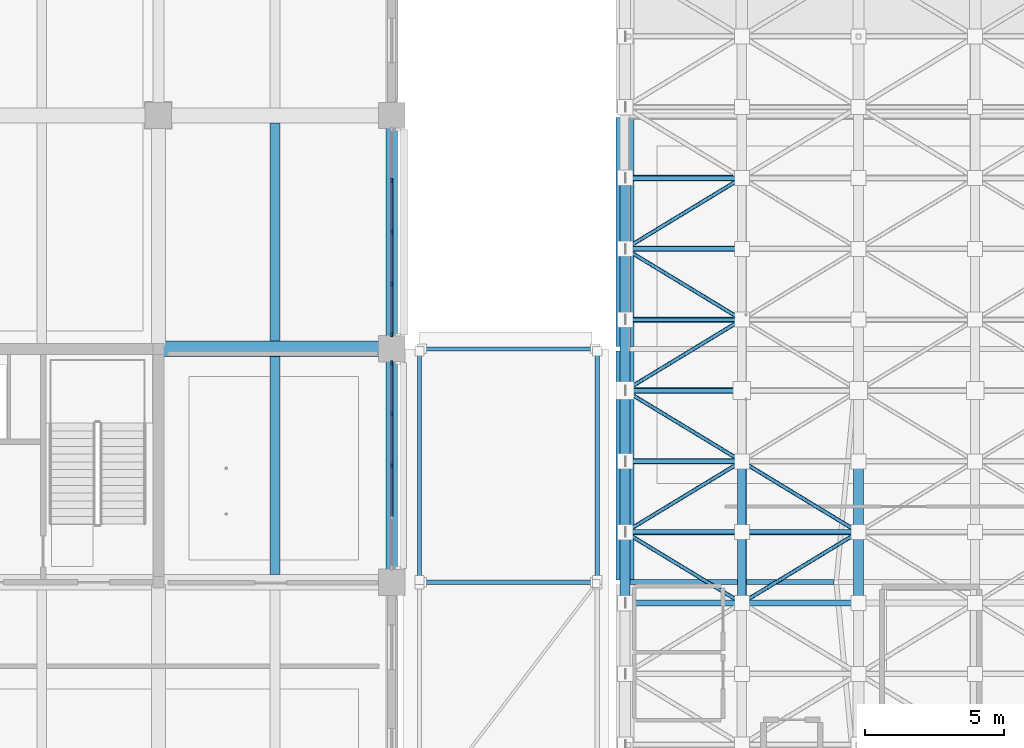
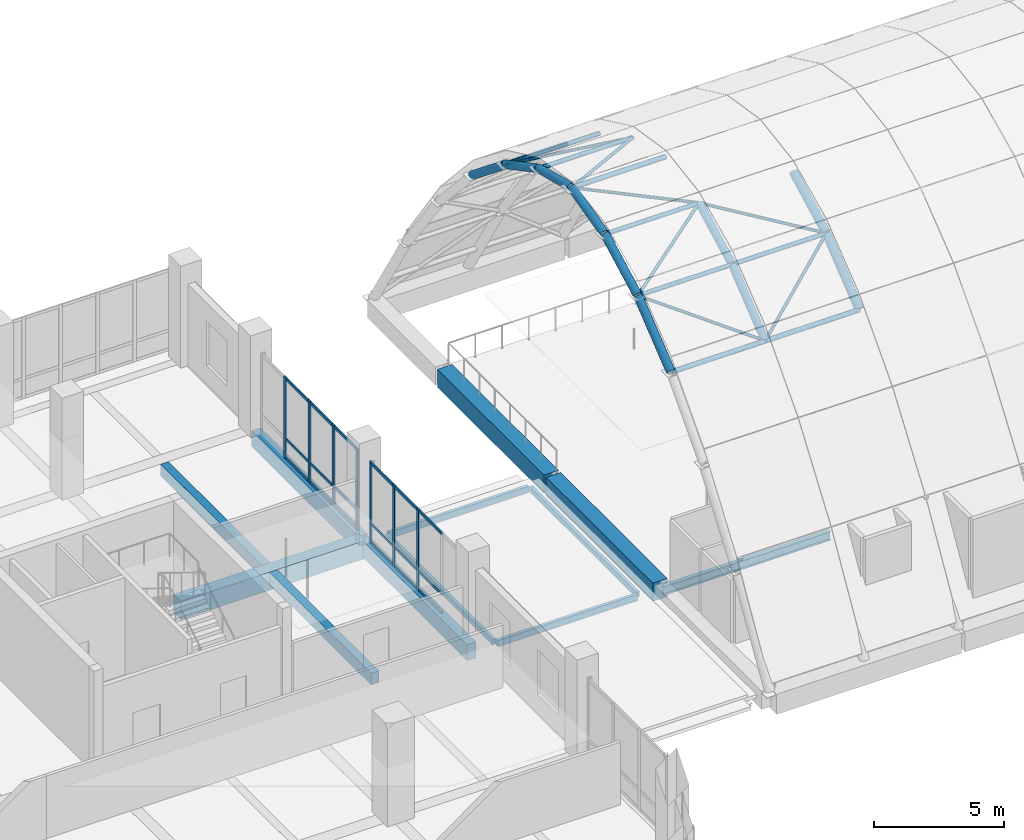
# One storey, part 24 of 128: 44 members, 20 beams, 2 elements without a shape of their own.
"""IFC4 building model written with IfcOpenShell, lengths in metres."""

from ifc_helpers import new_model, si_unit, direction, frame, origin, origin_2d, place, context, subcontext, project, spatial, rectangle, hollow_rectangle, hollow_circle, i_section, extrude, material, layer, layer_set, material_profile, profile_set, type_object, element, aggregate, save


model = new_model("IFC4")

# Units and contexts
model_context = context("Model", 3, precision=1e-05, world=origin(), true_north=direction((0.0, 1.0)))
body_context = subcontext(model_context, "Body", "Model", "MODEL_VIEW")
ifc_project = project(units=[si_unit("LENGTHUNIT", "METRE"), si_unit("AREAUNIT", "SQUARE_METRE"), si_unit("VOLUMEUNIT", "CUBIC_METRE"), si_unit("PLANEANGLEUNIT", "RADIAN"), si_unit("MASSUNIT", "GRAM", prefix="KILO")], contexts=[model_context])

# Site, building, storey
site_placement = place(None, origin())
site = spatial("IfcSite", under=ifc_project, at=site_placement, CompositionType="ELEMENT")
building_placement = place(site_placement, origin())
building = spatial("IfcBuilding", under=site, at=building_placement, Name="Telukmera Botanical Conservatory", CompositionType="ELEMENT")
storey_placement = place(building_placement, frame((0.0, 0.0, 5.39990234375)))
storey = spatial("IfcBuildingStorey", under=building, at=storey_placement, Name="L01", CompositionType="ELEMENT", Elevation=5.39990234375)

# Beams
ifc_material_1 = material(Name="Concrete C40/50", Category="concrete")
ifc_material_profile_1 = material_profile(ifc_material_1, rectangle(XDim=0.35009765625, YDim=0.550048828125, at=origin_2d()), Name="RC 350x550")
ifc_profile_set_1 = profile_set([ifc_material_profile_1], Name="Concrete C40/50")
beam_type_1 = type_object("IfcBeamType", Name="Beam_B21", PredefinedType="JOIST", material=ifc_profile_set_1)
beam_1_placement = place(storey_placement, frame((105.0, 26.27490234375, -0.27490234375), z_axis=(0.0, 1.0, 0.0), x_axis=(-1.0, 0.0, 0.0)))
element("IfcBeam", 1, at=beam_1_placement, inside=storey, type_object=beam_type_1, Name="Tower Secondary Floor Joist L01", PredefinedType="JOIST", context=body_context, shape_type="SweptSolid", body=[
    extrude(rectangle(XDim=0.35009765625, YDim=0.550048828125, at=origin_2d()), origin(), (0.0, 0.0, 1.0), 7.85009765625),
])
beam_2_placement = place(storey_placement, frame((105.0, 34.675048828125, -0.27490234375), z_axis=(0.0, 1.0, 0.0), x_axis=(-1.0, 0.0, 0.0)))
element("IfcBeam", 2, at=beam_2_placement, inside=storey, type_object=beam_type_1, Name="Tower Secondary Floor Joist L01", PredefinedType="JOIST", context=body_context, shape_type="SweptSolid", body=[
    extrude(rectangle(XDim=0.35009765625, YDim=0.550048828125, at=origin_2d()), origin(), (0.0, 0.0, 1.0), 7.849853515625),
])
ifc_material_profile_2 = material_profile(ifc_material_1, rectangle(XDim=0.550048828125, YDim=0.85009765625, at=origin_2d()), Name="RC 550x850")
ifc_profile_set_2 = profile_set([ifc_material_profile_2], Name="Concrete C40/50")
beam_type_2 = type_object("IfcBeamType", Name="Beam_B4", PredefinedType="BEAM", material=ifc_profile_set_2)
beam_3_placement = place(storey_placement, frame((100.8798828125, 34.39990234375, -0.4248046875), z_axis=(1.0, 0.0, 0.0), x_axis=(0.0, 1.0, 0.0)))
element("IfcBeam", 3, at=beam_3_placement, inside=storey, type_object=beam_type_2, Name="Tower Grid Beam L01", PredefinedType="BEAM", context=body_context, shape_type="SweptSolid", body=[
    extrude(rectangle(XDim=0.550048828125, YDim=0.85009765625, at=origin_2d()), origin(), (0.0, 0.0, 1.0), 8.240234375),
])
ifc_material_2 = material(Name="Steel S355", Category="steel")
ifc_material_profile_3 = material_profile(ifc_material_2, hollow_circle(Radius=0.177734375, WallThickness=0.012451171875, at=origin_2d()), Name="CHS 355.6x12.5")
ifc_profile_set_3 = profile_set([ifc_material_profile_3], Name="Steel S355")
beam_type_3 = type_object("IfcBeamType", Name="Beam_GA2", PredefinedType="BEAM", material=ifc_profile_set_3)
beam_4_placement = place(storey_placement, frame((117.60009765625, 25.265625, 10.3583984375), z_axis=(0.0, 0.77797662105, 0.628293225413), x_axis=(-1.0, 0.0, 0.0)))
element("IfcBeam", 4, at=beam_4_placement, inside=storey, type_object=beam_type_3, Name="Conservatory Gridshell Primary Arch Rib A00-03", PredefinedType="BEAM", context=body_context, shape_type="SweptSolid", body=[
    extrude(hollow_circle(Radius=0.177734375, WallThickness=0.012451171875, at=origin_2d()), origin(), (0.0, 0.0, 1.0), 3.237548828125),
])
beam_5_placement = place(storey_placement, frame((117.60009765625, 27.817626953125, 12.41455078125), z_axis=(0.0, 0.883608393745, 0.468226661462), x_axis=(-1.0, 0.0, 0.0)))
element("IfcBeam", 5, at=beam_5_placement, inside=storey, type_object=beam_type_3, Name="Conservatory Gridshell Primary Arch Rib A00-04", PredefinedType="BEAM", context=body_context, shape_type="SweptSolid", body=[
    extrude(hollow_circle(Radius=0.177734375, WallThickness=0.012451171875, at=origin_2d()), origin(), (0.0, 0.0, 1.0), 2.845947265625),
])
for number, where, z_axis, x_axis, name in (
    (6, (117.60009765625, 30.369384765625, 13.761474609375), (0.0, 0.969596662505, 0.244708626858), (-1.0, 0.0, 0.0), "Conservatory Gridshell Primary Arch Rib A00-05"),
    (7, (117.60009765625, 32.91943359375, 14.395263671875), (0.0, 0.969596662505, -0.244708626858), (-1.0, 0.0, 0.0), "Conservatory Gridshell Primary Arch Rib A00-06"),
):
    element("IfcBeam", number, at=place(storey_placement, frame(where, z_axis=z_axis, x_axis=x_axis)), inside=storey, type_object=beam_type_3, Name=name, PredefinedType="BEAM", context=body_context, shape_type="SweptSolid", body=[
        extrude(hollow_circle(Radius=0.177734375, WallThickness=0.012451171875, at=origin_2d()), origin(), (0.0, 0.0, 1.0), 2.590087890625),
    ])
beam_6_placement = place(storey_placement, frame((117.60009765625, 35.4677734375, 13.7470703125), z_axis=(0.0, 0.883608393745, -0.468226661462), x_axis=(-1.0, 0.0, 0.0)))
element("IfcBeam", 8, at=beam_6_placement, inside=storey, type_object=beam_type_3, Name="Conservatory Gridshell Primary Arch Rib A00-07", PredefinedType="BEAM", context=body_context, shape_type="SweptSolid", body=[
    extrude(hollow_circle(Radius=0.177734375, WallThickness=0.012451171875, at=origin_2d()), origin(), (0.0, 0.0, 1.0), 2.845947265625),
])
for number, where, z_axis, x_axis, name in (
    (9, (117.60009765625, 38.015625, 12.392578125), (0.0, 0.77797662105, -0.628293225413), (-1.0, 0.0, 0.0), "Conservatory Gridshell Primary Arch Rib A00-08"),
    (10, (126.0, 25.265625, 10.3583984375), (0.0, 0.77797662105, 0.628293225413), (-1.0, 0.0, 0.0), "Conservatory Gridshell Primary Arch Rib A02-03"),
):
    element("IfcBeam", number, at=place(storey_placement, frame(where, z_axis=z_axis, x_axis=x_axis)), inside=storey, type_object=beam_type_3, Name=name, PredefinedType="BEAM", context=body_context, shape_type="SweptSolid", body=[
        extrude(hollow_circle(Radius=0.177734375, WallThickness=0.012451171875, at=origin_2d()), origin(), (0.0, 0.0, 1.0), 3.237548828125),
    ])
beam_7_placement = place(storey_placement, frame((126.0, 27.817626953125, 12.41455078125), z_axis=(0.0, 0.883608393745, 0.468226661462), x_axis=(-1.0, 0.0, 0.0)))
element("IfcBeam", 11, at=beam_7_placement, inside=storey, type_object=beam_type_3, Name="Conservatory Gridshell Primary Arch Rib A02-04", PredefinedType="BEAM", context=body_context, shape_type="SweptSolid", body=[
    extrude(hollow_circle(Radius=0.177734375, WallThickness=0.012451171875, at=origin_2d()), origin(), (0.0, 0.0, 1.0), 2.845947265625),
])
ifc_material_profile_4 = material_profile(ifc_material_1, rectangle(XDim=0.64990234375, YDim=0.85009765625, at=origin_2d()), Name="RC 650x850")
ifc_profile_set_4 = profile_set([ifc_material_profile_4], Name="Concrete C40/50")
beam_type_4 = type_object("IfcBeamType", Name="Beam_RB2", PredefinedType="BEAM", material=ifc_profile_set_4)
for number, where, z_axis, x_axis, name in (
    (12, (117.60009765625, 26.080078125, -0.4248046875), (0.0, 1.0, 0.0), (-1.0, 0.0, 0.0), "Conservatory Beam beam:V1:L01:rb_y:1176:260"),
    (13, (117.60009765625, 34.47998046875, -0.4248046875), (0.0, 1.0, 0.0), (-1.0, 0.0, 0.0), "Conservatory Beam beam:V1:L01:rb_y:1176:344"),
):
    element("IfcBeam", number, at=place(storey_placement, frame(where, z_axis=z_axis, x_axis=x_axis)), inside=storey, type_object=beam_type_4, Name=name, PredefinedType="BEAM", context=body_context, shape_type="SweptSolid", body=[
        extrude(rectangle(XDim=0.64990234375, YDim=0.85009765625, at=origin_2d()), origin(), (0.0, 0.0, 1.0), 8.239990234375),
    ])
ifc_material_profile_5 = material_profile(ifc_material_2, i_section(OverallWidth=0.1787109375, OverallDepth=0.409423828125, WebThickness=0.0087890625, FlangeThickness=0.014404296875, FilletRadius=0.01025390625, at=origin_2d()), Name="UB 406x178x67")
ifc_profile_set_5 = profile_set([ifc_material_profile_5], Name="Steel S355")
beam_type_5 = type_object("IfcBeamType", Name="Beam_SB4", PredefinedType="BEAM", material=ifc_profile_set_5)
beam_8_placement = place(storey_placement, frame((117.679931640625, 26.0, -0.404541015625), z_axis=(1.0, 0.0, 0.0), x_axis=(0.0, 1.0, 0.0)))
element("IfcBeam", 14, at=beam_8_placement, inside=storey, type_object=beam_type_5, Name="Conservatory Skywalk Steel Girder", PredefinedType="BEAM", context=body_context, shape_type="SweptSolid", body=[
    extrude(i_section(OverallWidth=0.1787109375, OverallDepth=0.409423828125, WebThickness=0.0087890625, FlangeThickness=0.014404296875, FilletRadius=0.01025390625, at=origin_2d()), origin(), (0.0, 0.0, 1.0), 7.440185546875),
])
ifc_material_profile_6 = material_profile(ifc_material_2, hollow_rectangle(XDim=0.14990234375, YDim=0.300048828125, WallThickness=0.010009765625, at=origin_2d()), Name="RHS 300x150x10.0")
ifc_profile_set_6 = profile_set([ifc_material_profile_6], Name="Steel S355")
beam_type_6 = type_object("IfcBeamType", Name="Beam_SB8", PredefinedType="BEAM", material=ifc_profile_set_6)
for number, where, z_axis, x_axis, name in (
    (15, (110.280029296875, 26.0, -0.309814453125), (1.0, 0.0, 0.0), (0.0, 1.0, 0.0), "Canopy Steel Girder east_link"),
    (16, (110.280029296875, 34.39990234375, -0.309814453125), (1.0, 0.0, 0.0), (0.0, 1.0, 0.0), "Canopy Steel Girder east_link"),
):
    element("IfcBeam", number, at=place(storey_placement, frame(where, z_axis=z_axis, x_axis=x_axis)), inside=storey, type_object=beam_type_6, Name=name, PredefinedType="BEAM", context=body_context, shape_type="SweptSolid", body=[
        extrude(hollow_rectangle(XDim=0.14990234375, YDim=0.300048828125, WallThickness=0.010009765625, at=origin_2d()), origin(), (0.0, 0.0, 1.0), 6.239990234375),
    ])
ifc_material_profile_7 = material_profile(ifc_material_2, hollow_rectangle(XDim=0.14990234375, YDim=0.25, WallThickness=0.008056640625, at=origin_2d()), Name="RHS 250x150x8.0")
ifc_profile_set_7 = profile_set([ifc_material_profile_7], Name="Steel S355")
beam_type_7 = type_object("IfcBeamType", Name="Beam_SB9", PredefinedType="JOIST", material=ifc_profile_set_7)
for number, where, z_axis, x_axis, name in (
    (17, (110.199951171875, 26.080078125, -0.284912109375), (0.0, 1.0, 0.0), (-1.0, 0.0, 0.0), "Canopy Steel Purlin east_link"),
    (18, (116.60009765625, 26.080078125, -0.284912109375), (0.0, 1.0, 0.0), (-1.0, 0.0, 0.0), "Canopy Steel Purlin east_link"),
):
    element("IfcBeam", number, at=place(storey_placement, frame(where, z_axis=z_axis, x_axis=x_axis)), inside=storey, type_object=beam_type_7, Name=name, PredefinedType="JOIST", context=body_context, shape_type="SweptSolid", body=[
        extrude(hollow_rectangle(XDim=0.14990234375, YDim=0.25, WallThickness=0.008056640625, at=origin_2d()), origin(), (0.0, 0.0, 1.0), 8.239990234375),
    ])
ifc_material_3 = material(Name="Precast concrete C40/50", Category="concrete")
ifc_material_profile_8 = material_profile(ifc_material_3, rectangle(XDim=0.39990234375, YDim=0.75, at=origin_2d()), Name="PC 400x750")
ifc_profile_set_8 = profile_set([ifc_material_profile_8], Name="Precast concrete C40/50")
beam_type_8 = type_object("IfcBeamType", Name="Beam_SP1", PredefinedType="SPANDREL", material=ifc_profile_set_8)
for number, where, z_axis, x_axis, name in (
    (19, (109.199951171875, 26.080078125, -0.375), (0.0, 1.0, 0.0), (-1.0, 0.0, 0.0), "Tower Transverse Beam L01"),
    (20, (109.199951171875, 34.47998046875, -0.375), (0.0, 1.0, 0.0), (-1.0, 0.0, 0.0), "Tower Transverse Beam L01"),
):
    element("IfcBeam", number, at=place(storey_placement, frame(where, z_axis=z_axis, x_axis=x_axis)), inside=storey, type_object=beam_type_8, Name=name, PredefinedType="SPANDREL", context=body_context, shape_type="SweptSolid", body=[
        extrude(rectangle(XDim=0.39990234375, YDim=0.75, at=origin_2d()), origin(), (0.0, 0.0, 1.0), 8.239990234375),
    ])

# Curtain wall, members
ifc_material_4 = material(Name="Anodised aluminium 6063-T6", Category="aluminium")
ifc_layer = layer(ifc_material_4, 0.179931640625)
ifc_layer_set = layer_set([ifc_layer], Name="Anodised aluminium 6063-T6")
curtain_wall_type = type_object("IfcCurtainWallType", Name="Tower Reference Library Curtain Wall", PredefinedType="USERDEFINED", material=ifc_layer_set)
curtain_wall_1_placement = place(storey_placement, origin())
curtain_wall_1 = element("IfcCurtainWall", 21, at=curtain_wall_1_placement, inside=storey, type_object=curtain_wall_type, Name="Unitised Curtain Wall CW13 V4:L01:E3", ObjectType="UNITISED CURTAIN WALL", PredefinedType="USERDEFINED")
ifc_material_profile_9 = material_profile(ifc_material_4, rectangle(XDim=0.06494140625, YDim=0.159912109375, at=origin_2d()), Name="ALU MULL 65x160")
ifc_profile_set_9 = profile_set([ifc_material_profile_9], Name="Anodised aluminium 6063-T6")
member_type_1 = type_object("IfcMemberType", Name="Curtain Wall Extruded Mullion 65x160", PredefinedType="MULLION", material=ifc_profile_set_9)
member_1_placement = place(storey_placement, frame((109.199951171875, 30.199951171875, 0.0), z_axis=(0.0, 0.0, 1.0), x_axis=(-1.0, 0.0, 0.0)))
member_1 = element("IfcMember", 22, at=member_1_placement, type_object=member_type_1, Name="CW13 mullion 3", PredefinedType="MULLION", context=body_context, shape_type="SweptSolid", body=[
    extrude(rectangle(XDim=0.06494140625, YDim=0.159912109375, at=origin_2d()), origin(), (0.0, 0.0, 1.0), 3.85009765625),
])
member_2_placement = place(storey_placement, frame((109.199951171875, 32.0615234375, 0.0), z_axis=(0.0, 0.0, 1.0), x_axis=(-1.0, 0.0, 0.0)))
member_2 = element("IfcMember", 23, at=member_2_placement, type_object=member_type_1, Name="CW13 mullion 4", PredefinedType="MULLION", context=body_context, shape_type="SweptSolid", body=[
    extrude(rectangle(XDim=0.06494140625, YDim=0.159912109375, at=origin_2d()), origin(), (0.0, 0.0, 1.0), 3.85009765625),
])
member_3_placement = place(storey_placement, frame((109.199951171875, 33.890380859375, 0.0), z_axis=(0.0, 0.0, 1.0), x_axis=(-1.0, 0.0, 0.0)))
member_3 = element("IfcMember", 24, at=member_3_placement, type_object=member_type_1, Name="CW13 mullion 5", PredefinedType="MULLION", context=body_context, shape_type="SweptSolid", body=[
    extrude(rectangle(XDim=0.06494140625, YDim=0.159912109375, at=origin_2d()), origin(), (0.0, 0.0, 1.0), 3.85009765625),
])

curtain_wall_2_placement = place(storey_placement, origin())
curtain_wall_2 = element("IfcCurtainWall", 25, at=curtain_wall_2_placement, inside=storey, type_object=curtain_wall_type, Name="Unitised Curtain Wall CW13 V4:L01:E4", ObjectType="UNITISED CURTAIN WALL", PredefinedType="USERDEFINED")
member_4_placement = place(storey_placement, frame((109.199951171875, 34.909423828125, 0.0), z_axis=(0.0, 0.0, 1.0), x_axis=(-1.0, 0.0, 0.0)))
member_4 = element("IfcMember", 26, at=member_4_placement, type_object=member_type_1, Name="CW13 mullion 1", PredefinedType="MULLION", context=body_context, shape_type="SweptSolid", body=[
    extrude(rectangle(XDim=0.06494140625, YDim=0.159912109375, at=origin_2d()), origin(), (0.0, 0.0, 1.0), 3.85009765625),
])
member_5_placement = place(storey_placement, frame((109.199951171875, 36.738525390625, 0.0), z_axis=(0.0, 0.0, 1.0), x_axis=(-1.0, 0.0, 0.0)))
member_5 = element("IfcMember", 27, at=member_5_placement, type_object=member_type_1, Name="CW13 mullion 2", PredefinedType="MULLION", context=body_context, shape_type="SweptSolid", body=[
    extrude(rectangle(XDim=0.06494140625, YDim=0.159912109375, at=origin_2d()), origin(), (0.0, 0.0, 1.0), 3.85009765625),
])
member_6_placement = place(storey_placement, frame((109.199951171875, 38.60009765625, 0.0), z_axis=(0.0, 0.0, 1.0), x_axis=(-1.0, 0.0, 0.0)))
member_6 = element("IfcMember", 28, at=member_6_placement, type_object=member_type_1, Name="CW13 mullion 3", PredefinedType="MULLION", context=body_context, shape_type="SweptSolid", body=[
    extrude(rectangle(XDim=0.06494140625, YDim=0.159912109375, at=origin_2d()), origin(), (0.0, 0.0, 1.0), 3.85009765625),
])
member_7_placement = place(storey_placement, frame((109.199951171875, 40.46142578125, 0.0), z_axis=(0.0, 0.0, 1.0), x_axis=(-1.0, 0.0, 0.0)))
member_7 = element("IfcMember", 29, at=member_7_placement, type_object=member_type_1, Name="CW13 mullion 4", PredefinedType="MULLION", context=body_context, shape_type="SweptSolid", body=[
    extrude(rectangle(XDim=0.06494140625, YDim=0.159912109375, at=origin_2d()), origin(), (0.0, 0.0, 1.0), 3.85009765625),
])

# Member
ifc_material_profile_10 = material_profile(ifc_material_4, rectangle(XDim=0.06494140625, YDim=0.1298828125, at=origin_2d()), Name="ALU TRAN 65x130")
ifc_profile_set_10 = profile_set([ifc_material_profile_10], Name="Anodised aluminium 6063-T6")
member_type_2 = type_object("IfcMemberType", Name="Curtain Wall Extruded Transom 65x130", PredefinedType="USERDEFINED", material=ifc_profile_set_10)
member_8_placement = place(storey_placement, frame((109.199951171875, 28.37109375, 0.065185546875), z_axis=(0.0, 1.0, 0.0), x_axis=(-1.0, 0.0, 0.0)))
member_8 = element("IfcMember", 30, at=member_8_placement, type_object=member_type_2, Name="CW13 transom 2.1", ObjectType="TRANSOM", PredefinedType="USERDEFINED", context=body_context, shape_type="SweptSolid", body=[
    extrude(rectangle(XDim=0.06494140625, YDim=0.1298828125, at=origin_2d()), origin(), (0.0, 0.0, 1.0), 1.79638671875),
])

member_9_placement = place(storey_placement, frame((109.199951171875, 28.37109375, 0.9501953125), z_axis=(0.0, 1.0, 0.0), x_axis=(-1.0, 0.0, 0.0)))
member_9 = element("IfcMember", 31, at=member_9_placement, type_object=member_type_2, Name="CW13 transom 2.2", ObjectType="TRANSOM", PredefinedType="USERDEFINED", context=body_context, shape_type="SweptSolid", body=[
    extrude(rectangle(XDim=0.06494140625, YDim=0.1298828125, at=origin_2d()), origin(), (0.0, 0.0, 1.0), 1.79638671875),
])

member_10_placement = place(storey_placement, frame((109.199951171875, 28.37109375, 3.78515625), z_axis=(0.0, 1.0, 0.0), x_axis=(-1.0, 0.0, 0.0)))
member_10 = element("IfcMember", 32, at=member_10_placement, type_object=member_type_2, Name="CW13 transom 2.3", ObjectType="TRANSOM", PredefinedType="USERDEFINED", context=body_context, shape_type="SweptSolid", body=[
    extrude(rectangle(XDim=0.06494140625, YDim=0.1298828125, at=origin_2d()), origin(), (0.0, 0.0, 1.0), 1.79638671875),
])

member_11_placement = place(storey_placement, frame((109.199951171875, 30.232421875, 0.065185546875), z_axis=(0.0, 1.0, 0.0), x_axis=(-1.0, 0.0, 0.0)))
member_11 = element("IfcMember", 33, at=member_11_placement, type_object=member_type_2, Name="CW13 transom 3.1", ObjectType="TRANSOM", PredefinedType="USERDEFINED", context=body_context, shape_type="SweptSolid", body=[
    extrude(rectangle(XDim=0.06494140625, YDim=0.1298828125, at=origin_2d()), origin(), (0.0, 0.0, 1.0), 1.796630859375),
])

member_12_placement = place(storey_placement, frame((109.199951171875, 30.232421875, 0.9501953125), z_axis=(0.0, 1.0, 0.0), x_axis=(-1.0, 0.0, 0.0)))
member_12 = element("IfcMember", 34, at=member_12_placement, type_object=member_type_2, Name="CW13 transom 3.2", ObjectType="TRANSOM", PredefinedType="USERDEFINED", context=body_context, shape_type="SweptSolid", body=[
    extrude(rectangle(XDim=0.06494140625, YDim=0.1298828125, at=origin_2d()), origin(), (0.0, 0.0, 1.0), 1.796630859375),
])

member_13_placement = place(storey_placement, frame((109.199951171875, 30.232421875, 3.78515625), z_axis=(0.0, 1.0, 0.0), x_axis=(-1.0, 0.0, 0.0)))
member_13 = element("IfcMember", 35, at=member_13_placement, type_object=member_type_2, Name="CW13 transom 3.3", ObjectType="TRANSOM", PredefinedType="USERDEFINED", context=body_context, shape_type="SweptSolid", body=[
    extrude(rectangle(XDim=0.06494140625, YDim=0.1298828125, at=origin_2d()), origin(), (0.0, 0.0, 1.0), 1.796630859375),
])

member_14_placement = place(storey_placement, frame((109.199951171875, 32.093994140625, 0.065185546875), z_axis=(0.0, 1.0, 0.0), x_axis=(-1.0, 0.0, 0.0)))
member_14 = element("IfcMember", 36, at=member_14_placement, type_object=member_type_2, Name="CW13 transom 4.1", ObjectType="TRANSOM", PredefinedType="USERDEFINED", context=body_context, shape_type="SweptSolid", body=[
    extrude(rectangle(XDim=0.06494140625, YDim=0.1298828125, at=origin_2d()), origin(), (0.0, 0.0, 1.0), 1.763916015625),
])

member_15_placement = place(storey_placement, frame((109.199951171875, 32.093994140625, 0.9501953125), z_axis=(0.0, 1.0, 0.0), x_axis=(-1.0, 0.0, 0.0)))
member_15 = element("IfcMember", 37, at=member_15_placement, type_object=member_type_2, Name="CW13 transom 4.2", ObjectType="TRANSOM", PredefinedType="USERDEFINED", context=body_context, shape_type="SweptSolid", body=[
    extrude(rectangle(XDim=0.06494140625, YDim=0.1298828125, at=origin_2d()), origin(), (0.0, 0.0, 1.0), 1.763916015625),
])

member_16_placement = place(storey_placement, frame((109.199951171875, 32.093994140625, 3.78515625), z_axis=(0.0, 1.0, 0.0), x_axis=(-1.0, 0.0, 0.0)))
member_16 = element("IfcMember", 38, at=member_16_placement, type_object=member_type_2, Name="CW13 transom 4.3", ObjectType="TRANSOM", PredefinedType="USERDEFINED", context=body_context, shape_type="SweptSolid", body=[
    extrude(rectangle(XDim=0.06494140625, YDim=0.1298828125, at=origin_2d()), origin(), (0.0, 0.0, 1.0), 1.763916015625),
])

aggregate(curtain_wall_1, [member_1, member_2, member_3, member_8, member_9, member_10, member_11, member_12, member_13, member_14, member_15, member_16])

member_17_placement = place(storey_placement, frame((109.199951171875, 34.94189453125, 0.065185546875), z_axis=(0.0, 1.0, 0.0), x_axis=(-1.0, 0.0, 0.0)))
member_17 = element("IfcMember", 39, at=member_17_placement, type_object=member_type_2, Name="CW13 transom 1.1", ObjectType="TRANSOM", PredefinedType="USERDEFINED", context=body_context, shape_type="SweptSolid", body=[
    extrude(rectangle(XDim=0.06494140625, YDim=0.1298828125, at=origin_2d()), origin(), (0.0, 0.0, 1.0), 1.76416015625),
])

member_18_placement = place(storey_placement, frame((109.199951171875, 34.94189453125, 0.9501953125), z_axis=(0.0, 1.0, 0.0), x_axis=(-1.0, 0.0, 0.0)))
member_18 = element("IfcMember", 40, at=member_18_placement, type_object=member_type_2, Name="CW13 transom 1.2", ObjectType="TRANSOM", PredefinedType="USERDEFINED", context=body_context, shape_type="SweptSolid", body=[
    extrude(rectangle(XDim=0.06494140625, YDim=0.1298828125, at=origin_2d()), origin(), (0.0, 0.0, 1.0), 1.76416015625),
])

member_19_placement = place(storey_placement, frame((109.199951171875, 34.94189453125, 3.78515625), z_axis=(0.0, 1.0, 0.0), x_axis=(-1.0, 0.0, 0.0)))
member_19 = element("IfcMember", 41, at=member_19_placement, type_object=member_type_2, Name="CW13 transom 1.3", ObjectType="TRANSOM", PredefinedType="USERDEFINED", context=body_context, shape_type="SweptSolid", body=[
    extrude(rectangle(XDim=0.06494140625, YDim=0.1298828125, at=origin_2d()), origin(), (0.0, 0.0, 1.0), 1.76416015625),
])

member_20_placement = place(storey_placement, frame((109.199951171875, 36.77099609375, 0.065185546875), z_axis=(0.0, 1.0, 0.0), x_axis=(-1.0, 0.0, 0.0)))
member_20 = element("IfcMember", 42, at=member_20_placement, type_object=member_type_2, Name="CW13 transom 2.1", ObjectType="TRANSOM", PredefinedType="USERDEFINED", context=body_context, shape_type="SweptSolid", body=[
    extrude(rectangle(XDim=0.06494140625, YDim=0.1298828125, at=origin_2d()), origin(), (0.0, 0.0, 1.0), 1.79638671875),
])

member_21_placement = place(storey_placement, frame((109.199951171875, 36.77099609375, 0.9501953125), z_axis=(0.0, 1.0, 0.0), x_axis=(-1.0, 0.0, 0.0)))
member_21 = element("IfcMember", 43, at=member_21_placement, type_object=member_type_2, Name="CW13 transom 2.2", ObjectType="TRANSOM", PredefinedType="USERDEFINED", context=body_context, shape_type="SweptSolid", body=[
    extrude(rectangle(XDim=0.06494140625, YDim=0.1298828125, at=origin_2d()), origin(), (0.0, 0.0, 1.0), 1.79638671875),
])

member_22_placement = place(storey_placement, frame((109.199951171875, 36.77099609375, 3.78515625), z_axis=(0.0, 1.0, 0.0), x_axis=(-1.0, 0.0, 0.0)))
member_22 = element("IfcMember", 44, at=member_22_placement, type_object=member_type_2, Name="CW13 transom 2.3", ObjectType="TRANSOM", PredefinedType="USERDEFINED", context=body_context, shape_type="SweptSolid", body=[
    extrude(rectangle(XDim=0.06494140625, YDim=0.1298828125, at=origin_2d()), origin(), (0.0, 0.0, 1.0), 1.79638671875),
])

member_23_placement = place(storey_placement, frame((109.199951171875, 38.632568359375, 0.065185546875), z_axis=(0.0, 1.0, 0.0), x_axis=(-1.0, 0.0, 0.0)))
member_23 = element("IfcMember", 45, at=member_23_placement, type_object=member_type_2, Name="CW13 transom 3.1", ObjectType="TRANSOM", PredefinedType="USERDEFINED", context=body_context, shape_type="SweptSolid", body=[
    extrude(rectangle(XDim=0.06494140625, YDim=0.1298828125, at=origin_2d()), origin(), (0.0, 0.0, 1.0), 1.79638671875),
])

member_24_placement = place(storey_placement, frame((109.199951171875, 38.632568359375, 0.9501953125), z_axis=(0.0, 1.0, 0.0), x_axis=(-1.0, 0.0, 0.0)))
member_24 = element("IfcMember", 46, at=member_24_placement, type_object=member_type_2, Name="CW13 transom 3.2", ObjectType="TRANSOM", PredefinedType="USERDEFINED", context=body_context, shape_type="SweptSolid", body=[
    extrude(rectangle(XDim=0.06494140625, YDim=0.1298828125, at=origin_2d()), origin(), (0.0, 0.0, 1.0), 1.79638671875),
])

member_25_placement = place(storey_placement, frame((109.199951171875, 38.632568359375, 3.78515625), z_axis=(0.0, 1.0, 0.0), x_axis=(-1.0, 0.0, 0.0)))
member_25 = element("IfcMember", 47, at=member_25_placement, type_object=member_type_2, Name="CW13 transom 3.3", ObjectType="TRANSOM", PredefinedType="USERDEFINED", context=body_context, shape_type="SweptSolid", body=[
    extrude(rectangle(XDim=0.06494140625, YDim=0.1298828125, at=origin_2d()), origin(), (0.0, 0.0, 1.0), 1.79638671875),
])

aggregate(curtain_wall_2, [member_4, member_5, member_6, member_7, member_17, member_18, member_19, member_20, member_21, member_22, member_23, member_24, member_25])

# Members
ifc_material_profile_11 = material_profile(ifc_material_2, hollow_circle(Radius=0.06982421875, WallThickness=0.00634765625, at=origin_2d()), Name="CHS 139.7x6.3")
ifc_profile_set_11 = profile_set([ifc_material_profile_11], Name="Steel S355")
member_type_3 = type_object("IfcMemberType", Name="Mem_GBX2", PredefinedType="USERDEFINED", material=ifc_profile_set_11)
member_26_placement = place(storey_placement, frame((121.7880859375, 25.257080078125, 10.3515625), z_axis=(-0.788334461594, 0.478641512809, 0.386563162858), x_axis=(-0.518985958004, -0.854782765031, 0.0)))
element("IfcMember", 48, at=member_26_placement, inside=storey, type_object=member_type_3, Name="Conservatory Gridshell Diagrid Lacing Rib D00-03", ObjectType="GRIDSHELL_RIB", PredefinedType="USERDEFINED", context=body_context, shape_type="SweptSolid", body=[
    extrude(hollow_circle(Radius=0.06982421875, WallThickness=0.00634765625, at=origin_2d()), origin(), (0.0, 0.0, 1.0), 5.297607421875),
])
member_27_placement = place(storey_placement, frame((117.6123046875, 27.8076171875, 12.4091796875), z_axis=(0.824197942407, 0.500388681792, 0.265158290207), x_axis=(-0.518965091298, 0.854795434016, 0.0)))
element("IfcMember", 49, at=member_27_placement, inside=storey, type_object=member_type_3, Name="Conservatory Gridshell Diagrid Lacing Rib D00-04", ObjectType="GRIDSHELL_RIB", PredefinedType="USERDEFINED", context=body_context, shape_type="SweptSolid", body=[
    extrude(hollow_circle(Radius=0.06982421875, WallThickness=0.00634765625, at=origin_2d()), origin(), (0.0, 0.0, 1.0), 5.06591796875),
])
for number, where, z_axis, x_axis, name in (
    (50, (121.787353515625, 30.357666015625, 13.75830078125), (-0.84753330536, 0.514596805442, 0.12991314073), (-0.518995092501, -0.854777218905, 0.0), "Conservatory Gridshell Diagrid Lacing Rib D00-05"),
    (51, (117.61279296875, 32.90771484375, 14.398193359375), (0.84753330536, 0.514596805442, -0.12991314073), (-0.518995092501, 0.854777218905, 0.0), "Conservatory Gridshell Diagrid Lacing Rib D00-06"),
):
    element("IfcMember", number, at=place(storey_placement, frame(where, z_axis=z_axis, x_axis=x_axis)), inside=storey, type_object=member_type_3, Name=name, ObjectType="GRIDSHELL_RIB", PredefinedType="USERDEFINED", context=body_context, shape_type="SweptSolid", body=[
        extrude(hollow_circle(Radius=0.06982421875, WallThickness=0.00634765625, at=origin_2d()), origin(), (0.0, 0.0, 1.0), 4.925537109375),
    ])
member_28_placement = place(storey_placement, frame((121.78759765625, 35.45751953125, 13.75244140625), z_axis=(-0.824197942407, 0.500388681792, -0.265158290207), x_axis=(-0.518965091298, -0.854795434016, 0.0)))
element("IfcMember", 52, at=member_28_placement, inside=storey, type_object=member_type_3, Name="Conservatory Gridshell Diagrid Lacing Rib D00-07", ObjectType="GRIDSHELL_RIB", PredefinedType="USERDEFINED", context=body_context, shape_type="SweptSolid", body=[
    extrude(hollow_circle(Radius=0.06982421875, WallThickness=0.00634765625, at=origin_2d()), origin(), (0.0, 0.0, 1.0), 5.06591796875),
])
member_29_placement = place(storey_placement, frame((117.61181640625, 38.007080078125, 12.3994140625), z_axis=(0.788334461594, 0.478641512809, -0.386563162858), x_axis=(-0.518985958004, 0.854782765031, 0.0)))
element("IfcMember", 53, at=member_29_placement, inside=storey, type_object=member_type_3, Name="Conservatory Gridshell Diagrid Lacing Rib D00-08", ObjectType="GRIDSHELL_RIB", PredefinedType="USERDEFINED", context=body_context, shape_type="SweptSolid", body=[
    extrude(hollow_circle(Radius=0.06982421875, WallThickness=0.00634765625, at=origin_2d()), origin(), (0.0, 0.0, 1.0), 5.297607421875),
])
member_30_placement = place(storey_placement, frame((121.811767578125, 25.257080078125, 10.3515625), z_axis=(0.788351905241, 0.478624123916, 0.386549119142), x_axis=(-0.518963791177, 0.854796223346, 0.0)))
element("IfcMember", 54, at=member_30_placement, inside=storey, type_object=member_type_3, Name="Conservatory Gridshell Diagrid Lacing Rib D01-03", ObjectType="GRIDSHELL_RIB", PredefinedType="USERDEFINED", context=body_context, shape_type="SweptSolid", body=[
    extrude(hollow_circle(Radius=0.06982421875, WallThickness=0.00634765625, at=origin_2d()), origin(), (0.0, 0.0, 1.0), 5.2978515625),
])
member_31_placement = place(storey_placement, frame((125.987548828125, 27.8076171875, 12.4091796875), z_axis=(-0.824182486076, 0.50040855815, 0.265168822782), x_axis=(-0.51898726462, -0.854781971711, 0.0)))
element("IfcMember", 55, at=member_31_placement, inside=storey, type_object=member_type_3, Name="Conservatory Gridshell Diagrid Lacing Rib D01-04", ObjectType="GRIDSHELL_RIB", PredefinedType="USERDEFINED", context=body_context, shape_type="SweptSolid", body=[
    extrude(hollow_circle(Radius=0.06982421875, WallThickness=0.00634765625, at=origin_2d()), origin(), (0.0, 0.0, 1.0), 5.065673828125),
])
ifc_material_profile_12 = material_profile(ifc_material_2, hollow_circle(Radius=0.161865234375, WallThickness=0.012451171875, at=origin_2d()), Name="CHS 323.9x12.5")
ifc_profile_set_12 = profile_set([ifc_material_profile_12], Name="Steel S355")
member_type_4 = type_object("IfcMemberType", Name="Mem_GM3", PredefinedType="USERDEFINED", material=ifc_profile_set_12)
member_32_placement = place(storey_placement, frame((121.800048828125, 25.265625, 10.3583984375), z_axis=(0.0, 0.77797662105, 0.628293225413), x_axis=(-1.0, 0.0, 0.0)))
element("IfcMember", 56, at=member_32_placement, inside=storey, type_object=member_type_4, Name="Conservatory Gridshell Arch Segment A01-03", ObjectType="ARCH_SEGMENT", PredefinedType="USERDEFINED", context=body_context, shape_type="SweptSolid", body=[
    extrude(hollow_circle(Radius=0.161865234375, WallThickness=0.012451171875, at=origin_2d()), origin(), (0.0, 0.0, 1.0), 3.237548828125),
])
member_33_placement = place(storey_placement, frame((121.800048828125, 27.817626953125, 12.41455078125), z_axis=(0.0, 0.883608393745, 0.468226661462), x_axis=(-1.0, 0.0, 0.0)))
element("IfcMember", 57, at=member_33_placement, inside=storey, type_object=member_type_4, Name="Conservatory Gridshell Arch Segment A01-04", ObjectType="ARCH_SEGMENT", PredefinedType="USERDEFINED", context=body_context, shape_type="SweptSolid", body=[
    extrude(hollow_circle(Radius=0.161865234375, WallThickness=0.012451171875, at=origin_2d()), origin(), (0.0, 0.0, 1.0), 2.845947265625),
])
ifc_material_profile_13 = material_profile(ifc_material_2, hollow_circle(Radius=0.109619140625, WallThickness=0.010009765625, at=origin_2d()), Name="CHS 219.1x10.0")
ifc_profile_set_13 = profile_set([ifc_material_profile_13], Name="Steel S355")
member_type_5 = type_object("IfcMemberType", Name="Mem_GP1", PredefinedType="PURLIN", material=ifc_profile_set_13)
for number, where, z_axis, x_axis, name in (
    (58, (117.6201171875, 25.25, 10.345703125), (1.0, 0.0, 0.0), (0.0, 1.0, 0.0), "Conservatory Gridshell Longitudinal Rib P00-03"),
    (59, (117.6201171875, 32.89990234375, 14.400146484375), (1.0, 0.0, 0.0), (0.0, 1.0, 0.0), "Conservatory Gridshell Longitudinal Rib P00-06"),
    (60, (117.6201171875, 40.550048828125, 10.345703125), (1.0, 0.0, 0.0), (0.0, 1.0, 0.0), "Conservatory Gridshell Longitudinal Rib P00-09"),
    (61, (121.820068359375, 25.25, 10.345703125), (1.0, 0.0, 0.0), (0.0, 1.0, 0.0), "Conservatory Gridshell Longitudinal Rib P01-03"),
):
    element("IfcMember", number, at=place(storey_placement, frame(where, z_axis=z_axis, x_axis=x_axis)), inside=storey, type_object=member_type_5, Name=name, PredefinedType="PURLIN", context=body_context, shape_type="SweptSolid", body=[
        extrude(hollow_circle(Radius=0.109619140625, WallThickness=0.010009765625, at=origin_2d()), origin(), (0.0, 0.0, 1.0), 4.159912109375),
    ])
ifc_material_profile_14 = material_profile(ifc_material_2, hollow_circle(Radius=0.096923828125, WallThickness=0.008056640625, at=origin_2d()), Name="CHS 193.7x8.0")
ifc_profile_set_14 = profile_set([ifc_material_profile_14], Name="Steel S355")
member_type_6 = type_object("IfcMemberType", Name="Mem_GP2", PredefinedType="PURLIN", material=ifc_profile_set_14)
for number, where, z_axis, x_axis, name in (
    (62, (117.6201171875, 27.800048828125, 12.405029296875), (1.0, 0.0, 0.0), (0.0, 1.0, 0.0), "Conservatory Gridshell Longitudinal Rib P00-04"),
    (63, (117.6201171875, 30.35009765625, 13.756591796875), (1.0, 0.0, 0.0), (0.0, 1.0, 0.0), "Conservatory Gridshell Longitudinal Rib P00-05"),
    (64, (117.6201171875, 35.449951171875, 13.756591796875), (1.0, 0.0, 0.0), (0.0, 1.0, 0.0), "Conservatory Gridshell Longitudinal Rib P00-07"),
    (65, (117.6201171875, 38.0, 12.405029296875), (1.0, 0.0, 0.0), (0.0, 1.0, 0.0), "Conservatory Gridshell Longitudinal Rib P00-08"),
    (66, (121.820068359375, 27.800048828125, 12.405029296875), (1.0, 0.0, 0.0), (0.0, 1.0, 0.0), "Conservatory Gridshell Longitudinal Rib P01-04"),
):
    element("IfcMember", number, at=place(storey_placement, frame(where, z_axis=z_axis, x_axis=x_axis)), inside=storey, type_object=member_type_6, Name=name, PredefinedType="PURLIN", context=body_context, shape_type="SweptSolid", body=[
        extrude(hollow_circle(Radius=0.096923828125, WallThickness=0.008056640625, at=origin_2d()), origin(), (0.0, 0.0, 1.0), 4.159912109375),
    ])

save(model, "model.ifc")
